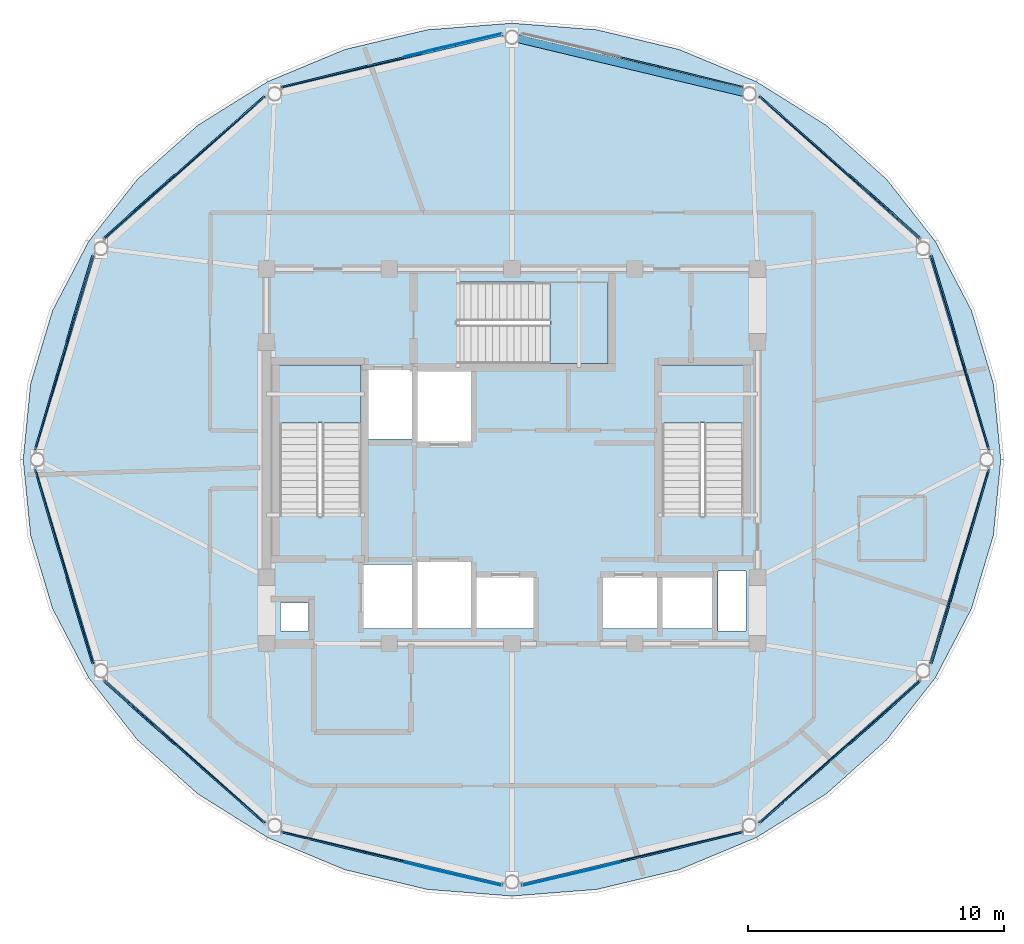
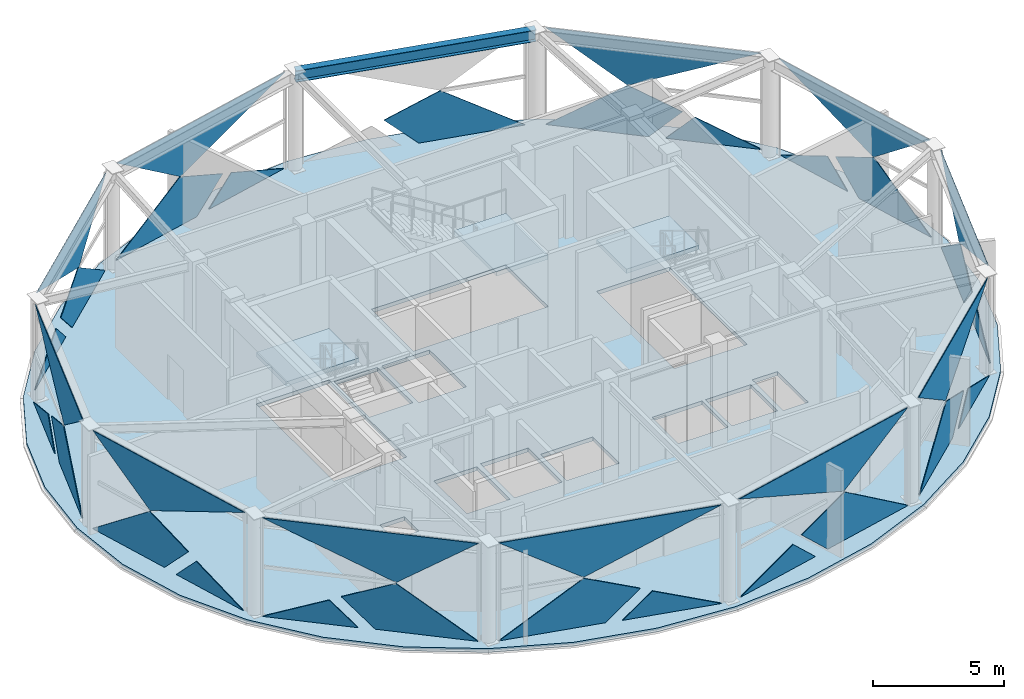
# One storey, part 15 of 22: 34 plates, 4 slabs, 1 beam, 15 elements without a shape of their own.
"""IFC4 building model written with IfcOpenShell, lengths in metres."""

import ifcopenshell
import ifcopenshell.guid

model = None  # the IFC model being written
_history = None  # IfcOwnerHistory: only IFC2X3 demands one
_inside = {}  # id of a spatial element -> (the spatial element, [elements in it])
_under = {}  # id of a project, library or spatial element -> (it, [spatial elements below it])
_declared = {}  # id of a project -> (the project, [libraries it declares])
_typed = {}  # id of a type object -> (the type object, [elements of that type])
_made_of = {}  # id of a material, layer set ... -> (it, [elements and type objects made of it])


def new_model(schema):
    """Start an empty IFC model of exactly this schema.

    Asked for "IFC4X3", IfcOpenShell would pick the latest addendum, in which some entities
    have other attributes; the version numbers below select the first issue.
    IFC2X3 requires an IfcOwnerHistory on every rooted entity: one is made here for all.
    """
    global model, _history
    if schema == "IFC4X3":
        model = ifcopenshell.file(schema_version=(4, 3, 0, 0))
    else:
        model = ifcopenshell.file(schema=schema)
    _inside.clear()
    _under.clear()
    _declared.clear()
    _typed.clear()
    _made_of.clear()
    _history = None
    if model.schema == "IFC2X3":
        org = make("IfcOrganization", Name="unknown")
        user = make(
            "IfcPersonAndOrganization",
            ThePerson=make("IfcPerson", FamilyName="unknown"),
            TheOrganization=org,
        )
        app = make(
            "IfcApplication",
            ApplicationDeveloper=org,
            Version="unknown",
            ApplicationFullName="unknown",
            ApplicationIdentifier="unknown",
        )
        _history = make(
            "IfcOwnerHistory",
            OwningUser=user,
            OwningApplication=app,
            ChangeAction="ADDED",
            CreationDate=0,
        )
    return model


def make(cls, **values):
    """One entity of the class cls with the attributes given. An attribute that is None is left unset."""
    return model.create_entity(
        cls, **{name: value for name, value in values.items() if value is not None}
    )


def rooted(cls, **values):
    """An entity with a GlobalId (a new one), such as an element, a storey or a relation."""
    return make(cls, GlobalId=ifcopenshell.guid.new(), OwnerHistory=_history, **values)


def si_unit(unit_type, name, prefix=None):
    """IfcSIUnit, for example si_unit("LENGTHUNIT", "METRE", prefix="MILLI")."""
    return make("IfcSIUnit", UnitType=unit_type, Prefix=prefix, Name=name)


def assignment(units):
    """IfcUnitAssignment: the units of a project."""
    return None if units is None else make("IfcUnitAssignment", Units=units)


def point(xyz):
    """IfcCartesianPoint."""
    return None if xyz is None else make("IfcCartesianPoint", Coordinates=xyz)


def direction(xyz):
    """IfcDirection."""
    return None if xyz is None else make("IfcDirection", DirectionRatios=xyz)


def frame(location, z_axis=None, x_axis=None):
    """IfcAxis2Placement3D, a coordinate frame: its origin and axes. An axis left out is left unset."""
    return make(
        "IfcAxis2Placement3D",
        Location=point(location),
        Axis=direction(z_axis),
        RefDirection=direction(x_axis),
    )


def frame_2d(location, x_axis=None):
    """IfcAxis2Placement2D, a coordinate frame in the plane: its origin and x axis."""
    return make(
        "IfcAxis2Placement2D", Location=point(location), RefDirection=direction(x_axis)
    )


def origin():
    """The frame at (0, 0, 0) with its axes left unset."""
    return frame((0.0, 0.0, 0.0))


def origin_2d():
    """The frame at (0, 0) in the plane with its x axis left unset."""
    return frame_2d((0.0, 0.0))


def place(relative_to, where):
    """IfcLocalPlacement: puts the frame where relative to a parent placement (None: the world)."""
    return make(
        "IfcLocalPlacement", PlacementRelTo=relative_to, RelativePlacement=where
    )


def context(
    kind, dimensions, precision=None, world=None, true_north=None, identifier=None
):
    """IfcGeometricRepresentationContext, for example the 3D "Model" context."""
    return make(
        "IfcGeometricRepresentationContext",
        ContextIdentifier=identifier,
        ContextType=kind,
        CoordinateSpaceDimension=dimensions,
        Precision=precision,
        WorldCoordinateSystem=world,
        TrueNorth=true_north,
    )


def subcontext(parent, identifier, kind, view, scale=None):
    """IfcGeometricRepresentationSubContext, for example "Body" below "Model"."""
    return make(
        "IfcGeometricRepresentationSubContext",
        ContextIdentifier=identifier,
        ContextType=kind,
        ParentContext=parent,
        TargetScale=scale,
        TargetView=view,
    )


def project(units=None, contexts=None):
    """IfcProject with its units and contexts."""
    return rooted(
        "IfcProject",
        Name="project",
        RepresentationContexts=contexts,
        UnitsInContext=assignment(units),
    )


def spatial(cls, under=None, at=None, **own):
    """A site, building, storey or space (cls), placed at a placement, below another one or the project."""
    s = rooted(cls, ObjectPlacement=at, **own)
    if under is not None:
        _under.setdefault(under.id(), (under, []))[1].append(s)
    return s


def polyline(points):
    """IfcPolyline through the points."""
    return make("IfcPolyline", Points=[point(p) for p in points])


def profile(cls, at=None, kind="AREA", **sizes):
    """A parametric profile (cls). Its sizes go by their IFC names, for example OverallWidth=200.0."""
    return make(cls, ProfileType=kind, Position=at, **sizes)


def i_section(**sizes):
    """IfcIShapeProfileDef."""
    return profile("IfcIShapeProfileDef", **sizes)


def outline(outer, holes=None, kind="AREA"):
    """IfcArbitraryClosedProfileDef: a profile drawn as a closed curve; with holes, ...WithVoids."""
    if holes is None:
        return make("IfcArbitraryClosedProfileDef", ProfileType=kind, OuterCurve=outer)
    return make(
        "IfcArbitraryProfileDefWithVoids",
        ProfileType=kind,
        OuterCurve=outer,
        InnerCurves=holes,
    )


def extrude(swept, where, along, depth):
    """IfcExtrudedAreaSolid: the profile swept, set in the frame where, extruded along a direction by depth."""
    return make(
        "IfcExtrudedAreaSolid",
        SweptArea=swept,
        Position=where,
        ExtrudedDirection=direction(along),
        Depth=depth,
    )


def shape(context_of_items, identifier, shape_type, items):
    """IfcShapeRepresentation: the items that make up one representation, for example the "Body"."""
    return make(
        "IfcShapeRepresentation",
        ContextOfItems=context_of_items,
        RepresentationIdentifier=identifier,
        RepresentationType=shape_type,
        Items=items,
    )


def material(Name=None, Category=None):
    """IfcMaterial."""
    return make("IfcMaterial", Name=Name, Category=Category)


def layer(
    of_material, thickness, ventilated=None, Name=None, Category=None, Priority=None
):
    """IfcMaterialLayer: one layer of a wall or slab, of a material (None: an air gap)."""
    return make(
        "IfcMaterialLayer",
        Material=of_material,
        LayerThickness=thickness,
        IsVentilated=ventilated,
        Name=Name,
        Category=Category,
        Priority=Priority,
    )


def layer_set(layers, Name=None):
    """IfcMaterialLayerSet."""
    return make("IfcMaterialLayerSet", MaterialLayers=layers, LayerSetName=Name)


def material_profile(
    of_material, cross_section, Name=None, Category=None, Priority=None
):
    """IfcMaterialProfile: a cross section and its material."""
    return make(
        "IfcMaterialProfile",
        Name=Name,
        Material=of_material,
        Profile=cross_section,
        Priority=Priority,
        Category=Category,
    )


def profile_set(profiles, Name=None, composite=None):
    """IfcMaterialProfileSet."""
    return make(
        "IfcMaterialProfileSet",
        Name=Name,
        MaterialProfiles=profiles,
        CompositeProfile=composite,
    )


def made_of(thing, what):
    """Note that an element or type object is made of a material, layer set ...; save() writes the relation."""
    if what is not None:
        _made_of.setdefault(what.id(), (what, []))[1].append(thing)
    return thing


def type_object(cls, material=None, **own):
    """A type object (cls), such as IfcWallType, which elements share."""
    return made_of(rooted(cls, **own), material)


def element(
    cls,
    number,
    at=None,
    inside=None,
    cuts=None,
    type_object=None,
    material=None,
    context=None,
    identifier="Body",
    shape_type=None,
    held_by="IfcProductDefinitionShape",
    body=None,
    shapes=None,
    **own,
):
    """One element of the class cls, such as IfcWall. Its Tag is "e" and its number.

    at: its placement. inside: the storey or other place that contains it. cuts: it is an
    opening in that element (IfcRelVoidsElement). A single representation is given by context,
    identifier, shape_type and body (its items); several are given by shapes. held_by: the class
    of the entity that holds the representations. save() writes the other relations.
    """
    e = rooted(cls, Tag="e%d" % number, ObjectPlacement=at, **own)
    if body is not None:
        shapes = [shape(context, identifier, shape_type, body)]
    if shapes is not None:
        e.Representation = make(held_by, Representations=shapes)
    if inside is not None:
        _inside.setdefault(inside.id(), (inside, []))[1].append(e)
    if cuts is not None:
        rooted(
            "IfcRelVoidsElement", RelatingBuildingElement=cuts, RelatedOpeningElement=e
        )
    if type_object is not None:
        _typed.setdefault(type_object.id(), (type_object, []))[1].append(e)
    return made_of(e, material)


def aggregate(whole, parts):
    """IfcRelAggregates: a whole, such as a stair, and the parts it consists of."""
    return rooted("IfcRelAggregates", RelatingObject=whole, RelatedObjects=parts)


def save(model, path):
    """Write the relations noted so far, then the file.

    IfcRelAggregates (storeys below a building ...), IfcRelContainedInSpatialStructure (elements
    in a storey), IfcRelDefinesByType, IfcRelAssociatesMaterial and IfcRelDeclares: one each for
    every whole, place, type object, material and project.
    """
    for whole, parts in _under.values():
        aggregate(whole, parts)
    for where, things in _inside.values():
        rooted(
            "IfcRelContainedInSpatialStructure",
            RelatedElements=things,
            RelatingStructure=where,
        )
    for kind, things in _typed.values():
        rooted("IfcRelDefinesByType", RelatedObjects=things, RelatingType=kind)
    for what, things in _made_of.values():
        rooted("IfcRelAssociatesMaterial", RelatedObjects=things, RelatingMaterial=what)
    for by, libraries in _declared.values():
        rooted("IfcRelDeclares", RelatingContext=by, RelatedDefinitions=libraries)
    model.write(path)


model = new_model("IFC4")

# Units and contexts
model_context = context("Model", 3, precision=1e-05, world=origin(), true_north=direction((0.0, 1.0)))
body_context = subcontext(model_context, "Body", "Model", "MODEL_VIEW")
ifc_project = project(units=[si_unit("LENGTHUNIT", "METRE"), si_unit("AREAUNIT", "SQUARE_METRE"), si_unit("VOLUMEUNIT", "CUBIC_METRE"), si_unit("PLANEANGLEUNIT", "RADIAN"), si_unit("MASSUNIT", "GRAM", prefix="KILO")], contexts=[model_context])

# Site, building, storey
site_placement = place(None, origin())
site = spatial("IfcSite", under=ifc_project, at=site_placement, CompositionType="ELEMENT")
building_placement = place(site_placement, origin())
building = spatial("IfcBuilding", under=site, at=building_placement, Name="Vantalir Tower", CompositionType="ELEMENT")
storey_placement = place(building_placement, frame((0.0, 0.0, 294.89990234375)))
storey = spatial("IfcBuildingStorey", under=building, at=storey_placement, Name="L74", CompositionType="ELEMENT", Elevation=294.89990234375)

# Beam
ifc_material_1 = material(Name="Steel S460", Category="steel")
ifc_material_profile = material_profile(ifc_material_1, i_section(OverallWidth=0.31201171875, OverallDepth=0.5419921875, WebThickness=0.0126953125, FlangeThickness=0.020263671875, at=origin_2d()), Name="Steel S460")
ifc_profile_set = profile_set([ifc_material_profile], Name="Steel S460")
beam_type = type_object("IfcBeamType", Name="BM-RG-533x312", PredefinedType="USERDEFINED", material=ifc_profile_set)
beam_placement = place(storey_placement, frame((40.780029296875, 39.300048828125, 4.34912109375), z_axis=(-0.972749896139, 0.231856937703, 0.0), x_axis=(-0.231856937703, -0.972749896139, 0.0)))
element("IfcBeam", 1, at=beam_placement, inside=storey, type_object=beam_type, Name="L74 Circumferential Ring Girder 03", ObjectType="GIRDER", PredefinedType="USERDEFINED", context=body_context, shape_type="SweptSolid", body=[
    extrude(i_section(OverallWidth=0.31201171875, OverallDepth=0.5419921875, WebThickness=0.0126953125, FlangeThickness=0.020263671875, at=origin_2d()), origin(), (0.0, 0.0, 1.0), 9.5400390625),
])

# Curtain wall, plates
ifc_material_2 = material(Name="Champagne-silver PVDF aluminium and double-silver Low-E glass", Category="aluminium")
ifc_layer_1 = layer(ifc_material_2, 0.219970703125)
ifc_layer_set_1 = layer_set([ifc_layer_1], Name="Champagne-silver PVDF aluminium and double-silver Low-E glass")
curtain_wall_type = type_object("IfcCurtainWallType", Name="CW-DIAMOND-Z4", PredefinedType="USERDEFINED", material=ifc_layer_set_1)
curtain_wall_1_placement = place(storey_placement, origin())
curtain_wall_1 = element("IfcCurtainWall", 2, at=curtain_wall_1_placement, inside=storey, type_object=curtain_wall_type, Name="L74 Quilted Pyramid-Diamond Curtain Wall S01", ObjectType="UNITISED CURTAIN WALL", PredefinedType="USERDEFINED")
ifc_material_3 = material(Name="Double-silver Low-E acoustic glass IGU", Category="glass")
ifc_layer_2 = layer(ifc_material_3, 0.031982421875)
ifc_layer_set_2 = layer_set([ifc_layer_2], Name="Double-silver Low-E acoustic glass IGU")
plate_type = type_object("IfcPlateType", Name="CWP-IGU-32", PredefinedType="CURTAIN_PANEL", material=ifc_layer_set_2)
plate_1_placement = place(storey_placement, frame((50.133544921875, 25.387451171875, 0.048095703125), z_axis=(-0.957559520206, -0.288043048789, 0.01053410211), x_axis=(-0.288059685965, 0.95761245455, -6.4905044e-05)))
plate_1 = element("IfcPlate", 3, at=plate_1_placement, type_object=plate_type, Name="CW-L74-S01 Pyramid Diamond Facet 1L", PredefinedType="CURTAIN_PANEL", context=body_context, shape_type="SweptSolid", body=[
    extrude(outline(polyline([(0.0, 0.0), (3.763023657164585, -8.131516293641283e-19), (5.013830748000936, -1.3282799849498594), (3.0059526477288956, -2.24861078786276), (0.0, 0.0)])), origin(), (0.0, 0.0, -1.0), 0.031982421875),
])
plate_2_placement = place(storey_placement, frame((48.898193359375, 29.619140625, 0.047607421875), z_axis=(-0.957568287607, -0.288015372891, 0.010493786192), x_axis=(-0.288031931928, 0.957620802475, -6.9690765e-05)))
plate_2 = element("IfcPlate", 4, at=plate_2_placement, type_object=plate_type, Name="CW-L74-S01 Pyramid Diamond Facet 1L Infill Light", PredefinedType="CURTAIN_PANEL", context=body_context, shape_type="SweptSolid", body=[
    extrude(outline(polyline([(0.0, 0.0), (3.5031990945213134, 1.3552527156068805e-18), (1.0561884532516226, -1.1214732496939197), (0.0, 0.0)])), origin(), (0.0, 0.0, -1.0), 0.031982421875),
])
plate_3_placement = place(storey_placement, frame((47.854736328125, 32.96337890625, 4.572509765625), z_axis=(0.957563498925, 0.288030571745, 0.010513575387), x_axis=(0.288047112713, -0.957616236834, -6.1719973e-05)))
plate_3 = element("IfcPlate", 5, at=plate_3_placement, type_object=plate_type, Name="CW-L74-S01 Pyramid Diamond Facet 2U", PredefinedType="CURTAIN_PANEL", context=body_context, shape_type="SweptSolid", body=[
    extrude(outline(polyline([(0.0, 0.0), (7.911235673511424, -8.673617379884035e-19), (4.905275538515253, 2.2483566718471772), (0.0, 0.0)])), origin(), (0.0, 0.0, -1.0), 0.031982421875),
])
aggregate(curtain_wall_1, [plate_1, plate_2, plate_3])

curtain_wall_2_placement = place(storey_placement, origin())
curtain_wall_2 = element("IfcCurtainWall", 6, at=curtain_wall_2_placement, inside=storey, type_object=curtain_wall_type, Name="L74 Quilted Pyramid-Diamond Curtain Wall S02", ObjectType="UNITISED CURTAIN WALL", PredefinedType="USERDEFINED")
plate_4_placement = place(storey_placement, frame((44.161376953125, 36.536865234375, 0.0478515625), z_axis=(-0.665070756937, -0.746706044341, 0.010534306439), x_axis=(-0.746747478344, 0.665107663155, 1.47277e-07)))
plate_4 = element("IfcPlate", 7, at=plate_4_placement, type_object=plate_type, Name="CW-L74-S02 Pyramid Diamond Facet 1L", PredefinedType="CURTAIN_PANEL", context=body_context, shape_type="SweptSolid", body=[
    extrude(outline(polyline([(0.0, 0.0), (3.9962210831449916, -3.469446951953614e-18), (0.8073861456350591, -2.248659809504765), (-1.3181307189197382, -1.327955326770327), (0.0, 0.0)])), origin(), (0.0, 0.0, -1.0), 0.031982421875),
])
plate_5_placement = place(storey_placement, frame((47.459716796875, 33.647216796875, 0.047119140625), z_axis=(-0.665065779597, -0.746708215903, 0.010693414463), x_axis=(-0.746750444228, 0.66510432997, 6.5579208e-05)))
plate_5 = element("IfcPlate", 8, at=plate_5_placement, type_object=plate_type, Name="CW-L74-S02 Pyramid Diamond Facet 1L Infill Light", PredefinedType="CURTAIN_PANEL", context=body_context, shape_type="SweptSolid", body=[
    extrude(outline(polyline([(0.0, 0.0), (3.722835812636165, -4.391018798566293e-18), (2.603753553764694, -1.127579267890863), (0.0, 0.0)])), origin(), (0.0, 0.0, -1.0), 0.031982421875),
])
plate_6_placement = place(storey_placement, frame((41.17724609375, 39.19482421875, 4.572265625), z_axis=(0.665080142941, 0.746697784728, 0.010527190876), x_axis=(0.746738754133, -0.665117455554, 5.8259314e-05)))
plate_6 = element("IfcPlate", 9, at=plate_6_placement, type_object=plate_type, Name="CW-L74-S02 Pyramid Diamond Facet 2U", PredefinedType="CURTAIN_PANEL", context=body_context, shape_type="SweptSolid", body=[
    extrude(outline(polyline([(0.0, 0.0), (8.38117063998229, 4.553649124439119e-18), (3.1887039549292093, 2.248845545720343), (0.0, 0.0)])), origin(), (0.0, 0.0, -1.0), 0.031982421875),
])
aggregate(curtain_wall_2, [plate_4, plate_5, plate_6])

# Curtain wall, plate
curtain_wall_3_placement = place(storey_placement, origin())
curtain_wall_3 = element("IfcCurtainWall", 10, at=curtain_wall_3_placement, inside=storey, type_object=curtain_wall_type, Name="L74 Quilted Pyramid-Diamond Curtain Wall S03", ObjectType="UNITISED CURTAIN WALL", PredefinedType="USERDEFINED")
plate_7_placement = place(storey_placement, frame((40.481201171875, 39.55810546875, 0.0478515625), z_axis=(-0.232160842078, -0.972620009752, 0.010566931254), x_axis=(-0.972674456043, 0.232173209506, -5.7868132e-05)))
plate_7 = element("IfcPlate", 11, at=plate_7_placement, type_object=plate_type, Name="CW-L74-S03 Pyramid Diamond Facet 1L", PredefinedType="CURTAIN_PANEL", context=body_context, shape_type="SweptSolid", body=[
    extrude(outline(polyline([(0.0, 0.0), (4.218796687397594, 1.1655173354219173e-18), (5.5995506139472, -1.326814131508127), (3.3546267668075926, -2.2490990041100223), (0.0, 0.0)])), origin(), (0.0, 0.0, -1.0), 0.031982421875),
])
aggregate(curtain_wall_3, [plate_7])

# Curtain wall, plates
curtain_wall_4_placement = place(storey_placement, origin())
curtain_wall_4 = element("IfcCurtainWall", 12, at=curtain_wall_4_placement, inside=storey, type_object=curtain_wall_type, Name="L74 Quilted Pyramid-Diamond Curtain Wall S04", ObjectType="UNITISED CURTAIN WALL", PredefinedType="USERDEFINED")
plate_8_placement = place(storey_placement, frame((26.622314453125, 40.53759765625, 0.047607421875), z_axis=(0.232160842078, -0.972620009752, 0.010566931254), x_axis=(-0.972674456043, -0.232173209506, 5.7868132e-05)))
plate_8 = element("IfcPlate", 13, at=plate_8_placement, type_object=plate_type, Name="CW-L74-S04 Pyramid Diamond Facet 1L", PredefinedType="CURTAIN_PANEL", context=body_context, shape_type="SweptSolid", body=[
    extrude(outline(polyline([(0.0, 0.0), (4.218796687397594, -1.1655173354219173e-18), (0.8641699205900015, -2.2490990041100223), (-1.3807539265496063, -1.326814131508127), (0.0, 0.0)])), origin(), (0.0, 0.0, -1.0), 0.031982421875),
])
plate_9_placement = place(storey_placement, frame((31.097900390625, 41.64306640625, 0.047119140625), z_axis=(0.232167544402, -0.972620611146, 0.010362340448), x_axis=(-0.972672834429, -0.232180010261, 0.0)))
plate_9 = element("IfcPlate", 14, at=plate_9_placement, type_object=plate_type, Name="CW-L74-S04 Pyramid Diamond Facet 1L Infill Light", PredefinedType="CURTAIN_PANEL", context=body_context, shape_type="SweptSolid", body=[
    extrude(outline(polyline([(0.0, 0.0), (3.9326638691899705, 0.0), (2.7546833314046, -1.1318967095902333), (0.0, 0.0)])), origin(), (0.0, 0.0, -1.0), 0.031982421875),
])
plate_10_placement = place(storey_placement, frame((22.518798828125, 39.55810546875, 4.572265625), z_axis=(-0.232163896716, 0.972619315832, 0.010563689318), x_axis=(0.972673722581, 0.232176282902, 5.5306404e-05)))
plate_10 = element("IfcPlate", 15, at=plate_10_placement, type_object=plate_type, Name="CW-L74-S04 Pyramid Diamond Facet 2U", PredefinedType="CURTAIN_PANEL", context=body_context, shape_type="SweptSolid", body=[
    extrude(outline(polyline([(0.0, 0.0), (8.828656665017538, 7.589415207398531e-19), (3.354632616637937, 2.2488461719509774), (0.0, 0.0)])), origin(), (0.0, 0.0, -1.0), 0.031982421875),
])
aggregate(curtain_wall_4, [plate_8, plate_9, plate_10])

curtain_wall_5_placement = place(storey_placement, origin())
curtain_wall_5 = element("IfcCurtainWall", 16, at=curtain_wall_5_placement, inside=storey, type_object=curtain_wall_type, Name="L74 Quilted Pyramid-Diamond Curtain Wall S05", ObjectType="UNITISED CURTAIN WALL", PredefinedType="USERDEFINED")
plate_11_placement = place(storey_placement, frame((21.82275390625, 39.19482421875, 0.0478515625), z_axis=(0.665070756937, -0.746706044341, 0.010534306439), x_axis=(-0.746747478344, -0.665107663155, -1.47277e-07)))
plate_11 = element("IfcPlate", 17, at=plate_11_placement, type_object=plate_type, Name="CW-L74-S05 Pyramid Diamond Facet 1L", PredefinedType="CURTAIN_PANEL", context=body_context, shape_type="SweptSolid", body=[
    extrude(outline(polyline([(0.0, 0.0), (3.9962210831449916, 3.469446951953614e-18), (5.31435180206473, -1.327955326770327), (3.188834937509932, -2.248659809504765), (0.0, 0.0)])), origin(), (0.0, 0.0, -1.0), 0.031982421875),
])
plate_12_placement = place(storey_placement, frame((18.3203125, 36.123291015625, 0.04736328125), z_axis=(0.665065779597, -0.746708215903, 0.010693414463), x_axis=(-0.746750444228, -0.66510432997, -6.5579208e-05)))
plate_12 = element("IfcPlate", 18, at=plate_12_placement, type_object=plate_type, Name="CW-L74-S05 Pyramid Diamond Facet 1L Infill Light", PredefinedType="CURTAIN_PANEL", context=body_context, shape_type="SweptSolid", body=[
    extrude(outline(polyline([(0.0, 0.0), (3.722835812636165, 4.391018798566293e-18), (1.1190822588714708, -1.1275792678908632), (0.0, 0.0)])), origin(), (0.0, 0.0, -1.0), 0.031982421875),
])
plate_13_placement = place(storey_placement, frame((15.564208984375, 33.620361328125, 4.57275390625), z_axis=(-0.665080142941, 0.746697784728, 0.010527190876), x_axis=(0.746738754133, 0.665117455554, -5.8259314e-05)))
plate_13 = element("IfcPlate", 19, at=plate_13_placement, type_object=plate_type, Name="CW-L74-S05 Pyramid Diamond Facet 2U", PredefinedType="CURTAIN_PANEL", context=body_context, shape_type="SweptSolid", body=[
    extrude(outline(polyline([(0.0, 0.0), (8.38117063998229, -4.553649124439119e-18), (5.192466685053082, 2.248845545720343), (0.0, 0.0)])), origin(), (0.0, 0.0, -1.0), 0.031982421875),
])
aggregate(curtain_wall_5, [plate_11, plate_12, plate_13])

curtain_wall_6_placement = place(storey_placement, origin())
curtain_wall_6 = element("IfcCurtainWall", 20, at=curtain_wall_6_placement, inside=storey, type_object=curtain_wall_type, Name="L74 Quilted Pyramid-Diamond Curtain Wall S06", ObjectType="UNITISED CURTAIN WALL", PredefinedType="USERDEFINED")
plate_14_placement = place(storey_placement, frame((13.950439453125, 28.990966796875, 0.0478515625), z_axis=(0.957559520206, -0.288043048789, 0.01053410211), x_axis=(-0.288059685965, -0.95761245455, 6.4905044e-05)))
plate_14 = element("IfcPlate", 21, at=plate_14_placement, type_object=plate_type, Name="CW-L74-S06 Pyramid Diamond Facet 1L", PredefinedType="CURTAIN_PANEL", context=body_context, shape_type="SweptSolid", body=[
    extrude(outline(polyline([(0.0, 0.0), (3.763023657164585, 8.131516293641283e-19), (0.7570710094356896, -2.24861078786276), (-1.2508070908363518, -1.3282799849498597), (0.0, 0.0)])), origin(), (0.0, 0.0, -1.0), 0.031982421875),
])
plate_15_placement = place(storey_placement, frame((15.11083984375, 32.973876953125, 0.04736328125), z_axis=(0.957568287607, -0.288015372891, 0.010493786192), x_axis=(-0.288031931928, -0.957620802475, 6.9690765e-05)))
plate_15 = element("IfcPlate", 22, at=plate_15_placement, type_object=plate_type, Name="CW-L74-S06 Pyramid Diamond Facet 1L Infill Light", PredefinedType="CURTAIN_PANEL", context=body_context, shape_type="SweptSolid", body=[
    extrude(outline(polyline([(0.0, 0.0), (3.5031990945213134, -1.3552527156068805e-18), (2.447010641269691, -1.1214732496939197), (0.0, 0.0)])), origin(), (0.0, 0.0, -1.0), 0.031982421875),
])
plate_16_placement = place(storey_placement, frame((12.866455078125, 25.387451171875, 4.572021484375), z_axis=(-0.957563498925, 0.288030571745, 0.010513575387), x_axis=(0.288047112713, 0.957616236834, 6.1719973e-05)))
plate_16 = element("IfcPlate", 23, at=plate_16_placement, type_object=plate_type, Name="CW-L74-S06 Pyramid Diamond Facet 2U", PredefinedType="CURTAIN_PANEL", context=body_context, shape_type="SweptSolid", body=[
    extrude(outline(polyline([(0.0, 0.0), (7.911235673511424, 8.673617379884035e-19), (3.00596013499617, 2.2483566718471772), (0.0, 0.0)])), origin(), (0.0, 0.0, -1.0), 0.031982421875),
])
aggregate(curtain_wall_6, [plate_14, plate_15, plate_16])

curtain_wall_7_placement = place(storey_placement, origin())
curtain_wall_7 = element("IfcCurtainWall", 24, at=curtain_wall_7_placement, inside=storey, type_object=curtain_wall_type, Name="L74 Quilted Pyramid-Diamond Curtain Wall S07", ObjectType="UNITISED CURTAIN WALL", PredefinedType="USERDEFINED")
plate_17_placement = place(storey_placement, frame((12.866455078125, 24.612548828125, 0.048095703125), z_axis=(0.957559520206, 0.288043048789, 0.01053410211), x_axis=(0.288059685965, -0.95761245455, -6.4905044e-05)))
plate_17 = element("IfcPlate", 25, at=plate_17_placement, type_object=plate_type, Name="CW-L74-S07 Pyramid Diamond Facet 1L", PredefinedType="CURTAIN_PANEL", context=body_context, shape_type="SweptSolid", body=[
    extrude(outline(polyline([(0.0, 0.0), (3.763023657164585, -8.131516293641283e-19), (5.013830748000936, -1.3282799849498594), (3.0059526477288956, -2.24861078786276), (0.0, 0.0)])), origin(), (0.0, 0.0, -1.0), 0.031982421875),
])
plate_18_placement = place(storey_placement, frame((14.101806640625, 20.380859375, 0.047607421875), z_axis=(0.957568287607, 0.288015372891, 0.010493786192), x_axis=(0.288031931928, -0.957620802475, -6.9690765e-05)))
plate_18 = element("IfcPlate", 26, at=plate_18_placement, type_object=plate_type, Name="CW-L74-S07 Pyramid Diamond Facet 1L Infill Light", PredefinedType="CURTAIN_PANEL", context=body_context, shape_type="SweptSolid", body=[
    extrude(outline(polyline([(0.0, 0.0), (3.5031990945213134, 1.3552527156068805e-18), (1.0561884532516226, -1.1214732496939197), (0.0, 0.0)])), origin(), (0.0, 0.0, -1.0), 0.031982421875),
])
plate_19_placement = place(storey_placement, frame((15.145263671875, 17.03662109375, 4.572509765625), z_axis=(-0.957563498925, -0.288030571745, 0.010513575387), x_axis=(-0.288047112713, 0.957616236834, -6.1719973e-05)))
plate_19 = element("IfcPlate", 27, at=plate_19_placement, type_object=plate_type, Name="CW-L74-S07 Pyramid Diamond Facet 2U", PredefinedType="CURTAIN_PANEL", context=body_context, shape_type="SweptSolid", body=[
    extrude(outline(polyline([(0.0, 0.0), (7.911235673511424, -8.673617379884035e-19), (4.905275538515253, 2.2483566718471772), (0.0, 0.0)])), origin(), (0.0, 0.0, -1.0), 0.031982421875),
])
aggregate(curtain_wall_7, [plate_17, plate_18, plate_19])

curtain_wall_8_placement = place(storey_placement, origin())
curtain_wall_8 = element("IfcCurtainWall", 28, at=curtain_wall_8_placement, inside=storey, type_object=curtain_wall_type, Name="L74 Quilted Pyramid-Diamond Curtain Wall S08", ObjectType="UNITISED CURTAIN WALL", PredefinedType="USERDEFINED")
plate_20_placement = place(storey_placement, frame((18.838623046875, 13.463134765625, 0.0478515625), z_axis=(0.665070756937, 0.746706044341, 0.010534306439), x_axis=(0.746747478344, -0.665107663155, 1.47277e-07)))
plate_20 = element("IfcPlate", 29, at=plate_20_placement, type_object=plate_type, Name="CW-L74-S08 Pyramid Diamond Facet 1L", PredefinedType="CURTAIN_PANEL", context=body_context, shape_type="SweptSolid", body=[
    extrude(outline(polyline([(0.0, 0.0), (3.9962210831449916, -3.469446951953614e-18), (0.8073861456350591, -2.248659809504765), (-1.3181307189197382, -1.327955326770327), (0.0, 0.0)])), origin(), (0.0, 0.0, -1.0), 0.031982421875),
])
plate_21_placement = place(storey_placement, frame((15.540283203125, 16.352783203125, 0.047119140625), z_axis=(0.665065779597, 0.746708215903, 0.010693414463), x_axis=(0.746750444228, -0.66510432997, 6.5579208e-05)))
plate_21 = element("IfcPlate", 30, at=plate_21_placement, type_object=plate_type, Name="CW-L74-S08 Pyramid Diamond Facet 1L Infill Light", PredefinedType="CURTAIN_PANEL", context=body_context, shape_type="SweptSolid", body=[
    extrude(outline(polyline([(0.0, 0.0), (3.722835812636165, -4.391018798566293e-18), (2.603753553764694, -1.127579267890863), (0.0, 0.0)])), origin(), (0.0, 0.0, -1.0), 0.031982421875),
])
plate_22_placement = place(storey_placement, frame((21.82275390625, 10.80517578125, 4.572265625), z_axis=(-0.665080142941, -0.746697784728, 0.010527190876), x_axis=(-0.746738754133, 0.665117455554, 5.8259314e-05)))
plate_22 = element("IfcPlate", 31, at=plate_22_placement, type_object=plate_type, Name="CW-L74-S08 Pyramid Diamond Facet 2U", PredefinedType="CURTAIN_PANEL", context=body_context, shape_type="SweptSolid", body=[
    extrude(outline(polyline([(0.0, 0.0), (8.38117063998229, 4.553649124439119e-18), (3.1887039549292093, 2.248845545720343), (0.0, 0.0)])), origin(), (0.0, 0.0, -1.0), 0.031982421875),
])
aggregate(curtain_wall_8, [plate_20, plate_21, plate_22])

curtain_wall_9_placement = place(storey_placement, origin())
curtain_wall_9 = element("IfcCurtainWall", 32, at=curtain_wall_9_placement, inside=storey, type_object=curtain_wall_type, Name="L74 Quilted Pyramid-Diamond Curtain Wall S09", ObjectType="UNITISED CURTAIN WALL", PredefinedType="USERDEFINED")
plate_23_placement = place(storey_placement, frame((22.518798828125, 10.44189453125, 0.0478515625), z_axis=(0.232160842078, 0.972620009752, 0.010566931254), x_axis=(0.972674456043, -0.232173209506, -5.7868132e-05)))
plate_23 = element("IfcPlate", 33, at=plate_23_placement, type_object=plate_type, Name="CW-L74-S09 Pyramid Diamond Facet 1L", PredefinedType="CURTAIN_PANEL", context=body_context, shape_type="SweptSolid", body=[
    extrude(outline(polyline([(0.0, 0.0), (4.218796687397594, 1.1655173354219173e-18), (5.5995506139472, -1.326814131508127), (3.3546267668075926, -2.2490990041100223), (0.0, 0.0)])), origin(), (0.0, 0.0, -1.0), 0.031982421875),
])
plate_24_placement = place(storey_placement, frame((27.272705078125, 9.27001953125, 0.047119140625), z_axis=(0.232167544402, 0.972620611146, 0.010362340448), x_axis=(0.972672834429, -0.232180010261, 0.0)))
plate_24 = element("IfcPlate", 34, at=plate_24_placement, type_object=plate_type, Name="CW-L74-S09 Pyramid Diamond Facet 1L Infill Light", PredefinedType="CURTAIN_PANEL", context=body_context, shape_type="SweptSolid", body=[
    extrude(outline(polyline([(0.0, 0.0), (3.9326638691899705, 0.0), (1.17798053778537, -1.1318967095902333), (0.0, 0.0)])), origin(), (0.0, 0.0, -1.0), 0.031982421875),
])
plate_25_placement = place(storey_placement, frame((31.106201171875, 8.39208984375, 4.57275390625), z_axis=(-0.232163896716, -0.972619315832, 0.010563689318), x_axis=(-0.972673722581, 0.232176282902, -5.5306404e-05)))
plate_25 = element("IfcPlate", 35, at=plate_25_placement, type_object=plate_type, Name="CW-L74-S09 Pyramid Diamond Facet 2U", PredefinedType="CURTAIN_PANEL", context=body_context, shape_type="SweptSolid", body=[
    extrude(outline(polyline([(0.0, 0.0), (8.828656665017538, -7.589415207398531e-19), (5.474024048379599, 2.248846171950978), (0.0, 0.0)])), origin(), (0.0, 0.0, -1.0), 0.031982421875),
])
aggregate(curtain_wall_9, [plate_23, plate_24, plate_25])

curtain_wall_10_placement = place(storey_placement, origin())
curtain_wall_10 = element("IfcCurtainWall", 36, at=curtain_wall_10_placement, inside=storey, type_object=curtain_wall_type, Name="L74 Quilted Pyramid-Diamond Curtain Wall S10", ObjectType="UNITISED CURTAIN WALL", PredefinedType="USERDEFINED")
plate_26_placement = place(storey_placement, frame((36.377685546875, 9.46240234375, 0.047607421875), z_axis=(-0.232160842078, 0.972620009752, 0.010566931254), x_axis=(0.972674456043, 0.232173209506, 5.7868132e-05)))
plate_26 = element("IfcPlate", 37, at=plate_26_placement, type_object=plate_type, Name="CW-L74-S10 Pyramid Diamond Facet 1L", PredefinedType="CURTAIN_PANEL", context=body_context, shape_type="SweptSolid", body=[
    extrude(outline(polyline([(0.0, 0.0), (4.218796687397594, -1.1655173354219173e-18), (0.8641699205900015, -2.2490990041100223), (-1.3807539265496063, -1.326814131508127), (0.0, 0.0)])), origin(), (0.0, 0.0, -1.0), 0.031982421875),
])
plate_27_placement = place(storey_placement, frame((31.902099609375, 8.35693359375, 0.047119140625), z_axis=(-0.232167544402, 0.972620611146, 0.010362340448), x_axis=(0.972672834429, 0.232180010261, 0.0)))
plate_27 = element("IfcPlate", 38, at=plate_27_placement, type_object=plate_type, Name="CW-L74-S10 Pyramid Diamond Facet 1L Infill Light", PredefinedType="CURTAIN_PANEL", context=body_context, shape_type="SweptSolid", body=[
    extrude(outline(polyline([(0.0, 0.0), (3.9326638691899705, 0.0), (2.7546833314046, -1.1318967095902333), (0.0, 0.0)])), origin(), (0.0, 0.0, -1.0), 0.031982421875),
])
plate_28_placement = place(storey_placement, frame((40.481201171875, 10.44189453125, 4.572265625), z_axis=(0.232163896716, -0.972619315832, 0.010563689318), x_axis=(-0.972673722581, -0.232176282902, 5.5306404e-05)))
plate_28 = element("IfcPlate", 39, at=plate_28_placement, type_object=plate_type, Name="CW-L74-S10 Pyramid Diamond Facet 2U", PredefinedType="CURTAIN_PANEL", context=body_context, shape_type="SweptSolid", body=[
    extrude(outline(polyline([(0.0, 0.0), (8.828656665017538, 7.589415207398531e-19), (3.354632616637937, 2.2488461719509774), (0.0, 0.0)])), origin(), (0.0, 0.0, -1.0), 0.031982421875),
])
aggregate(curtain_wall_10, [plate_26, plate_27, plate_28])

curtain_wall_11_placement = place(storey_placement, origin())
curtain_wall_11 = element("IfcCurtainWall", 40, at=curtain_wall_11_placement, inside=storey, type_object=curtain_wall_type, Name="L74 Quilted Pyramid-Diamond Curtain Wall S11", ObjectType="UNITISED CURTAIN WALL", PredefinedType="USERDEFINED")
plate_29_placement = place(storey_placement, frame((41.17724609375, 10.80517578125, 0.0478515625), z_axis=(-0.665070756937, 0.746706044341, 0.010534306439), x_axis=(0.746747478344, 0.665107663155, -1.47277e-07)))
plate_29 = element("IfcPlate", 41, at=plate_29_placement, type_object=plate_type, Name="CW-L74-S11 Pyramid Diamond Facet 1L", PredefinedType="CURTAIN_PANEL", context=body_context, shape_type="SweptSolid", body=[
    extrude(outline(polyline([(0.0, 0.0), (3.9962210831449916, 3.469446951953614e-18), (5.31435180206473, -1.327955326770327), (3.188834937509932, -2.248659809504765), (0.0, 0.0)])), origin(), (0.0, 0.0, -1.0), 0.031982421875),
])
plate_30_placement = place(storey_placement, frame((44.6796875, 13.876708984375, 0.04736328125), z_axis=(-0.665065779597, 0.746708215903, 0.010693414463), x_axis=(0.746750444228, 0.66510432997, -6.5579208e-05)))
plate_30 = element("IfcPlate", 42, at=plate_30_placement, type_object=plate_type, Name="CW-L74-S11 Pyramid Diamond Facet 1L Infill Light", PredefinedType="CURTAIN_PANEL", context=body_context, shape_type="SweptSolid", body=[
    extrude(outline(polyline([(0.0, 0.0), (3.722835812636165, 4.391018798566293e-18), (1.1190822588714708, -1.1275792678908632), (0.0, 0.0)])), origin(), (0.0, 0.0, -1.0), 0.031982421875),
])
plate_31_placement = place(storey_placement, frame((47.435791015625, 16.379638671875, 4.57275390625), z_axis=(0.665080142941, -0.746697784728, 0.010527190876), x_axis=(-0.746738754133, -0.665117455554, -5.8259314e-05)))
plate_31 = element("IfcPlate", 43, at=plate_31_placement, type_object=plate_type, Name="CW-L74-S11 Pyramid Diamond Facet 2U", PredefinedType="CURTAIN_PANEL", context=body_context, shape_type="SweptSolid", body=[
    extrude(outline(polyline([(0.0, 0.0), (8.38117063998229, -4.553649124439119e-18), (5.192466685053082, 2.248845545720343), (0.0, 0.0)])), origin(), (0.0, 0.0, -1.0), 0.031982421875),
])
aggregate(curtain_wall_11, [plate_29, plate_30, plate_31])

curtain_wall_12_placement = place(storey_placement, origin())
curtain_wall_12 = element("IfcCurtainWall", 44, at=curtain_wall_12_placement, inside=storey, type_object=curtain_wall_type, Name="L74 Quilted Pyramid-Diamond Curtain Wall S12", ObjectType="UNITISED CURTAIN WALL", PredefinedType="USERDEFINED")
plate_32_placement = place(storey_placement, frame((49.049560546875, 21.009033203125, 0.0478515625), z_axis=(-0.957559520206, 0.288043048789, 0.01053410211), x_axis=(0.288059685965, 0.95761245455, 6.4905044e-05)))
plate_32 = element("IfcPlate", 45, at=plate_32_placement, type_object=plate_type, Name="CW-L74-S12 Pyramid Diamond Facet 1L", PredefinedType="CURTAIN_PANEL", context=body_context, shape_type="SweptSolid", body=[
    extrude(outline(polyline([(0.0, 0.0), (3.763023657164585, 8.131516293641283e-19), (0.7570710094356896, -2.24861078786276), (-1.2508070908363518, -1.3282799849498597), (0.0, 0.0)])), origin(), (0.0, 0.0, -1.0), 0.031982421875),
])
plate_33_placement = place(storey_placement, frame((47.88916015625, 17.026123046875, 0.04736328125), z_axis=(-0.957568287607, 0.288015372891, 0.010493786192), x_axis=(0.288031931928, 0.957620802475, 6.9690765e-05)))
plate_33 = element("IfcPlate", 46, at=plate_33_placement, type_object=plate_type, Name="CW-L74-S12 Pyramid Diamond Facet 1L Infill Light", PredefinedType="CURTAIN_PANEL", context=body_context, shape_type="SweptSolid", body=[
    extrude(outline(polyline([(0.0, 0.0), (3.5031990945213134, -1.3552527156068805e-18), (2.447010641269691, -1.1214732496939197), (0.0, 0.0)])), origin(), (0.0, 0.0, -1.0), 0.031982421875),
])
plate_34_placement = place(storey_placement, frame((50.133544921875, 24.612548828125, 4.572021484375), z_axis=(0.957563498925, -0.288030571745, 0.010513575387), x_axis=(-0.288047112713, -0.957616236834, 6.1719973e-05)))
plate_34 = element("IfcPlate", 47, at=plate_34_placement, type_object=plate_type, Name="CW-L74-S12 Pyramid Diamond Facet 2U", PredefinedType="CURTAIN_PANEL", context=body_context, shape_type="SweptSolid", body=[
    extrude(outline(polyline([(0.0, 0.0), (7.911235673511424, 8.673617379884035e-19), (3.00596013499617, 2.2483566718471772), (0.0, 0.0)])), origin(), (0.0, 0.0, -1.0), 0.031982421875),
])
aggregate(curtain_wall_12, [plate_32, plate_33, plate_34])

# Stair, slab
ifc_material_4 = material(Name="Concrete C40/50", Category="concrete")
stair_type = type_object("IfcStairType", Name="STR-CORE-1450", PredefinedType="HALF_TURN_STAIR", material=ifc_material_4)
stair_1_placement = place(storey_placement, origin())
stair_1 = element("IfcStair", 48, at=stair_1_placement, inside=storey, type_object=stair_type, Name="L74 Core Exit Stair 1", PredefinedType="HALF_TURN_STAIR")
ifc_layer_3 = layer(ifc_material_4, 0.199951171875)
ifc_layer_set_3 = layer_set([ifc_layer_3], Name="Concrete C40/50")
slab_type_1 = type_object("IfcSlabType", Name="SL-LAND-200", PredefinedType="LANDING", material=ifc_layer_set_3)
slab_1_placement = place(storey_placement, frame((0.0, 0.0, 2.2001953125)))
slab_1 = element("IfcSlab", 49, at=slab_1_placement, type_object=slab_type_1, Name="ST1 landing 1", PredefinedType="LANDING", context=body_context, shape_type="SweptSolid", body=[
    extrude(outline(polyline([(25.60009765625, 26.429931640625), (25.60009765625, 28.699951171875), (22.39990234375, 28.699951171875), (22.39990234375, 26.429931640625), (25.60009765625, 26.429931640625)])), origin(), (0.0, 0.0, 1.0), 0.199951171875),
])
aggregate(stair_1, [slab_1])

stair_2_placement = place(storey_placement, origin())
stair_2 = element("IfcStair", 50, at=stair_2_placement, inside=storey, type_object=stair_type, Name="L74 Core Exit Stair 2", PredefinedType="HALF_TURN_STAIR")
slab_2_placement = place(storey_placement, frame((0.0, 0.0, 2.2001953125)))
slab_2 = element("IfcSlab", 51, at=slab_2_placement, type_object=slab_type_1, Name="ST2 landing 1", PredefinedType="LANDING", context=body_context, shape_type="SweptSolid", body=[
    extrude(outline(polyline([(40.550048828125, 26.429931640625), (40.550048828125, 28.699951171875), (37.35009765625, 28.699951171875), (37.35009765625, 26.429931640625), (40.550048828125, 26.429931640625)])), origin(), (0.0, 0.0, 1.0), 0.199951171875),
])
aggregate(stair_2, [slab_2])

stair_3_placement = place(storey_placement, origin())
stair_3 = element("IfcStair", 52, at=stair_3_placement, inside=storey, type_object=stair_type, Name="L74 Core Exit Stair 3", PredefinedType="HALF_TURN_STAIR")
slab_3_placement = place(storey_placement, frame((0.0, 0.0, 2.2001953125)))
slab_3 = element("IfcSlab", 53, at=slab_3_placement, type_object=slab_type_1, Name="ST3 landing 1", PredefinedType="LANDING", context=body_context, shape_type="SweptSolid", body=[
    extrude(outline(polyline([(32.97998046875, 28.75), (35.25, 28.75), (35.25, 31.949951171875), (32.97998046875, 31.949951171875), (32.97998046875, 28.75)])), origin(), (0.0, 0.0, 1.0), 0.199951171875),
])
aggregate(stair_3, [slab_3])

# Slab
ifc_layer_4 = layer(ifc_material_4, 0.179931640625)
ifc_layer_set_4 = layer_set([ifc_layer_4], Name="Concrete C40/50")
slab_type_2 = type_object("IfcSlabType", Name="SL-TWR-180", PredefinedType="FLOOR", material=ifc_layer_set_4)
slab_4_placement = place(storey_placement, frame((0.0, 0.0, -0.179931640625)))
element("IfcSlab", 54, at=slab_4_placement, inside=storey, type_object=slab_type_2, Name="L74 Primary Structural Slab", PredefinedType="FLOOR", context=body_context, shape_type="SweptSolid", body=[
    extrude(outline(polyline([(24.964111328125, 8.967041015625), (28.181884765625, 8.197021484375), (31.5, 7.93798828125), (34.818115234375, 8.197021484375), (38.035888671875, 8.967041015625), (41.054931640625, 10.22412109375), (43.783935546875, 11.929931640625), (46.138916015625, 14.032958984375), (48.050048828125, 16.468994140625), (49.4580078125, 19.1640625), (50.320068359375, 22.037109375), (50.610107421875, 25.0), (50.320068359375, 27.962890625), (49.4580078125, 30.8359375), (48.050048828125, 33.531005859375), (46.138916015625, 35.967041015625), (43.783935546875, 38.070068359375), (41.054931640625, 39.77587890625), (38.035888671875, 41.032958984375), (34.818115234375, 41.802978515625), (31.5, 42.06201171875), (28.181884765625, 41.802978515625), (24.964111328125, 41.032958984375), (21.945068359375, 39.77587890625), (19.216064453125, 38.070068359375), (16.861083984375, 35.967041015625), (14.949951171875, 33.531005859375), (13.5419921875, 30.8359375), (12.679931640625, 27.962890625), (12.389892578125, 25.0), (12.679931640625, 22.037109375), (13.5419921875, 19.1640625), (14.949951171875, 16.468994140625), (16.861083984375, 14.032958984375), (19.216064453125, 11.929931640625), (21.945068359375, 10.22412109375), (24.964111328125, 8.967041015625)]), holes=[polyline([(22.39990234375, 22.7900390625), (22.39990234375, 28.699951171875), (25.60009765625, 28.699951171875), (25.60009765625, 22.7900390625), (22.39990234375, 22.7900390625)]), polyline([(37.35009765625, 28.699951171875), (40.550048828125, 28.699951171875), (40.550048828125, 22.7900390625), (37.35009765625, 22.7900390625), (37.35009765625, 28.699951171875)]), polyline([(35.25, 28.75), (29.340087890625, 28.75), (29.340087890625, 31.949951171875), (35.25, 31.949951171875), (35.25, 28.75)]), polyline([(27.60009765625, 18.39990234375), (25.699951171875, 18.39990234375), (25.699951171875, 20.89990234375), (27.60009765625, 20.89990234375), (27.60009765625, 18.39990234375)]), polyline([(25.699951171875, 25.800048828125), (25.699951171875, 28.5), (27.60009765625, 28.5), (27.60009765625, 25.800048828125), (25.699951171875, 25.800048828125)]), polyline([(27.800048828125, 21.0), (29.89990234375, 21.0), (29.89990234375, 18.39990234375), (27.800048828125, 18.39990234375), (27.800048828125, 21.0)]), polyline([(29.89990234375, 28.5), (29.89990234375, 25.699951171875), (27.800048828125, 25.699951171875), (27.800048828125, 28.5), (29.89990234375, 28.5)]), polyline([(32.39990234375, 18.39990234375), (30.10009765625, 18.39990234375), (30.10009765625, 20.39990234375), (32.39990234375, 20.39990234375), (32.39990234375, 18.39990234375)]), polyline([(37.35009765625, 18.39990234375), (37.35009765625, 20.39990234375), (39.35009765625, 20.39990234375), (39.35009765625, 18.39990234375), (37.35009765625, 18.39990234375)]), polyline([(35.0, 20.39990234375), (37.199951171875, 20.39990234375), (37.199951171875, 18.39990234375), (35.0, 18.39990234375), (35.0, 20.39990234375)]), polyline([(23.550048828125, 19.39990234375), (23.550048828125, 18.300048828125), (22.449951171875, 18.300048828125), (22.449951171875, 19.39990234375), (23.550048828125, 19.39990234375)]), polyline([(40.64990234375, 18.300048828125), (39.550048828125, 18.300048828125), (39.550048828125, 20.64990234375), (40.64990234375, 20.64990234375), (40.64990234375, 18.300048828125)])]), origin(), (0.0, 0.0, 1.0), 0.179931640625),
])

save(model, "model.ifc")
